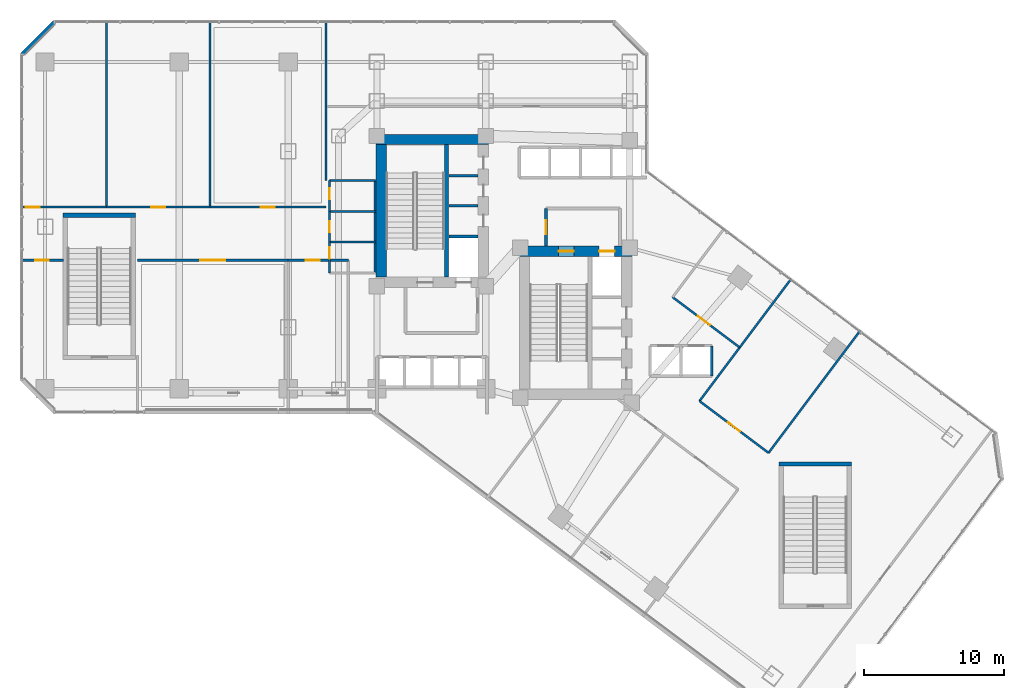
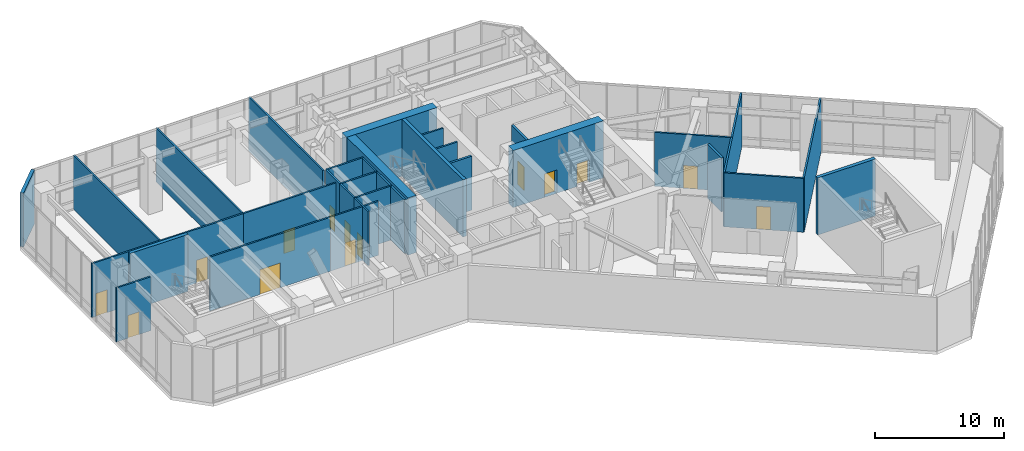
# One storey, part 28 of 35: 32 walls, 14 doors, 14 openings.
"""IFC4 building model written with IfcOpenShell, lengths in metres."""

from ifc_helpers import new_model, si_unit, direction, frame, frame_2d, origin, place, context, subcontext, project, spatial, rectangle, extrude, material, layer, layer_set, type_object, element, fill, save


model = new_model("IFC4")

# Units and contexts
model_context = context("Model", 3, precision=1e-05, world=origin(), true_north=direction((0.0, 1.0)))
body_context = subcontext(model_context, "Body", "Model", "MODEL_VIEW")
ifc_project = project(units=[si_unit("LENGTHUNIT", "METRE"), si_unit("AREAUNIT", "SQUARE_METRE"), si_unit("VOLUMEUNIT", "CUBIC_METRE"), si_unit("PLANEANGLEUNIT", "RADIAN"), si_unit("MASSUNIT", "GRAM", prefix="KILO")], contexts=[model_context])

# Site, building, storey
site_placement = place(None, origin())
site = spatial("IfcSite", under=ifc_project, at=site_placement, CompositionType="ELEMENT")
building_placement = place(site_placement, origin())
building = spatial("IfcBuilding", under=site, at=building_placement, Name="Hatsunagi Terrace Concourse", CompositionType="ELEMENT")
storey_placement = place(building_placement, frame((0.0, 0.0, 10.800048828125)))
storey = spatial("IfcBuildingStorey", under=building, at=storey_placement, Name="L03", CompositionType="ELEMENT", Elevation=10.800048828125)

# Walls
ifc_material_1 = material(Name="Concrete Fc60", Category="concrete")
ifc_layer_1 = layer(ifc_material_1, 0.75)
ifc_layer_set_1 = layer_set([ifc_layer_1], Name="CoreShearWall_Fc60_750")
wall_type_1 = type_object("IfcWallType", Name="CoreShearWall_Fc60_750", PredefinedType="SHEAR", material=ifc_layer_set_1)
wall_1_placement = place(storey_placement, frame((25.469970703125, 43.044921875, 0.0), z_axis=(0.0, 0.0, 1.0), x_axis=(1.0, 0.0, 0.0)))
element("IfcWall", 1, at=wall_1_placement, inside=storey, type_object=wall_type_1, Name="Core A Shear Wall N L03", PredefinedType="SHEAR", context=body_context, shape_type="SweptSolid", body=[
    extrude(rectangle(XDim=8.080078125, YDim=0.75, at=frame_2d((4.0400390625, 0.0))), origin(), (0.0, 0.0, 1.0), 5.39990234375),
])
wall_2_placement = place(storey_placement, frame((25.844970703125, 33.18994140625, 0.0), z_axis=(0.0, 0.0, 1.0), x_axis=(0.0, 1.0, 0.0)))
element("IfcWall", 2, at=wall_2_placement, inside=storey, type_object=wall_type_1, Name="Core A Shear Wall W L03", PredefinedType="SHEAR", context=body_context, shape_type="SweptSolid", body=[
    extrude(rectangle(XDim=9.47998046875, YDim=0.75, at=frame_2d((4.739990234375, 0.0))), origin(), (0.0, 0.0, 1.0), 5.39990234375),
])

# Wall, openings, doors
wall_3_placement = place(storey_placement, frame((35.739990234375, 35.044921875, 0.0), z_axis=(0.0, 0.0, 1.0), x_axis=(1.0, 0.0, 0.0)))
wall_3 = element("IfcWall", 3, at=wall_3_placement, inside=storey, type_object=wall_type_1, Name="Core B Shear Wall N L03", PredefinedType="SHEAR", context=body_context, shape_type="SweptSolid", body=[
    extrude(rectangle(XDim=8.06005859375, YDim=0.75, at=frame_2d((4.030029296875, 0.0))), origin(), (0.0, 0.0, 1.0), 5.39990234375),
])
opening_1_placement = place(wall_3_placement, frame((2.81005859375, 0.0, 0.0)))
opening_1 = element("IfcOpeningElement", 4, at=opening_1_placement, cuts=wall_3, Name="Opening DR-110S", PredefinedType="OPENING", context=body_context, shape_type="SweptSolid", body=[
    extrude(rectangle(XDim=1.10009765625, YDim=2.199951171875, at=frame_2d((0.550048828125, 1.10009765625))), frame((0.0, 0.385009765625, 0.0), z_axis=(0.0, -1.0, 0.0), x_axis=(1.0, 0.0, 0.0)), (0.0, 0.0, 1.0), 0.77001953125),
])
opening_2_placement = place(wall_3_placement, frame((5.7099609375, 0.0, 0.0)))
opening_2 = element("IfcOpeningElement", 5, at=opening_2_placement, cuts=wall_3, Name="Opening LD-02", PredefinedType="OPENING", context=body_context, shape_type="SweptSolid", body=[
    extrude(rectangle(XDim=1.1201171875, YDim=2.14990234375, at=frame_2d((0.56005859375, 1.074951171875))), frame((0.0, 0.385009765625, 0.0), z_axis=(0.0, -1.0, 0.0), x_axis=(1.0, 0.0, 0.0)), (0.0, 0.0, 1.0), 0.77001953125),
])
ifc_material_2 = material(Name="Stainless steel", Category="steel")
door_type_1 = type_object("IfcDoorType", Name="LiftLandingDoor_LD02", OperationType="SLIDING_TO_RIGHT", PredefinedType="USERDEFINED", material=ifc_material_2)
door_1_placement = place(opening_2_placement, origin())
door_1 = element("IfcDoor", 6, at=door_1_placement, inside=storey, type_object=door_type_1, Name="Lift landing door FF-02 L03", ObjectType="SLIDING_LANDING_DOOR", OperationType="SLIDING_TO_RIGHT", OverallHeight=2.14990234375, OverallWidth=1.1201171875, PredefinedType="USERDEFINED", context=body_context, shape_type="SweptSolid", body=[
    extrude(rectangle(XDim=1.1201171875, YDim=2.14990234375, at=frame_2d((0.56005859375, 1.074951171875))), frame((0.0, 0.02490234375, 0.0), z_axis=(0.0, -1.0, 0.0), x_axis=(1.0, 0.0, 0.0)), (0.0, 0.0, 1.0), 0.050048828125),
])
fill(opening_2, door_1)
ifc_material_3 = material(Name="Painted steel", Category="steel")
door_type_2 = type_object("IfcDoorType", Name="StairFireDoor_EI60_1100", OperationType="NOTDEFINED", PredefinedType="DOOR", material=ifc_material_3)
door_2_placement = place(opening_1_placement, origin())
door_2 = element("IfcDoor", 7, at=door_2_placement, inside=storey, type_object=door_type_2, Name="Stair ST-B Exit Door L03", OperationType="SINGLE_SWING_RIGHT", OverallHeight=2.199951171875, OverallWidth=1.10009765625, PredefinedType="DOOR", context=body_context, shape_type="SweptSolid", body=[
    extrude(rectangle(XDim=1.10009765625, YDim=2.199951171875, at=frame_2d((0.550048828125, 1.10009765625))), frame((0.0, 0.02490234375, 0.0), z_axis=(0.0, -1.0, 0.0), x_axis=(1.0, 0.0, 0.0)), (0.0, 0.0, 1.0), 0.050048828125),
])
fill(opening_1, door_2)

# Walls
ifc_material_4 = material(Name="Concrete Fc48", Category="concrete")
ifc_layer_2 = layer(ifc_material_4, 0.300048828125)
ifc_layer_set_2 = layer_set([ifc_layer_2], Name="CoreStairDivider_Fc48_300")
wall_type_2 = type_object("IfcWallType", Name="CoreStairDivider_Fc48_300", PredefinedType="SHEAR", material=ifc_layer_set_2)
wall_4_placement = place(storey_placement, frame((30.5400390625, 33.18994140625, 0.0), z_axis=(0.0, 0.0, 1.0), x_axis=(0.0, 1.0, 0.0)))
element("IfcWall", 8, at=wall_4_placement, inside=storey, type_object=wall_type_2, Name="Core A Shear Wall D L03", PredefinedType="SHEAR", context=body_context, shape_type="SweptSolid", body=[
    extrude(rectangle(XDim=9.47998046875, YDim=0.300048828125, at=frame_2d((4.739990234375, 0.0))), origin(), (0.0, 0.0, 1.0), 5.39990234375),
])
for number, where, z_axis, x_axis, name in (
    (9, (3.090087890625, 37.6201171875, 0.0), (0.0, 0.0, 1.0), (1.0, 0.0, 0.0), "Podium Stair P1 Shear Wall N L03"),
    (10, (54.340087890625, 19.820068359375, 0.0), (0.0, 0.0, 1.0), (1.0, 0.0, 0.0), "Podium Stair P2 Shear Wall N L03"),
):
    element("IfcWall", number, at=place(storey_placement, frame(where, z_axis=z_axis, x_axis=x_axis)), inside=storey, type_object=wall_type_2, Name=name, PredefinedType="SHEAR", context=body_context, shape_type="SweptSolid", body=[
        extrude(rectangle(XDim=5.169921875, YDim=0.300048828125, at=frame_2d((2.5849609375, 0.0))), origin(), (0.0, 0.0, 1.0), 5.39990234375),
    ])
ifc_material_5 = material(Name="Acoustic mineral board", Category="gypsum")
ifc_layer_3 = layer(ifc_material_5, 0.14990234375)
ifc_layer_set_3 = layer_set([ifc_layer_3], Name="PartitionWall_EI60_150")
wall_type_3 = type_object("IfcWallType", Name="PartitionWall_EI60_150", PredefinedType="PARTITIONING", material=ifc_layer_set_3)
for number, where, z_axis, x_axis, name in (
    (11, (30.699951171875, 38.300048828125, 0.0), (0.0, 0.0, 1.0), (1.0, 0.0, 0.0), "Interior Partition IW-L03-002"),
    (12, (30.699951171875, 40.449951171875, 0.0), (0.0, 0.0, 1.0), (1.0, 0.0, 0.0), "Interior Partition IW-L03-003"),
):
    element("IfcWall", number, at=place(storey_placement, frame(where, z_axis=z_axis, x_axis=x_axis)), inside=storey, type_object=wall_type_3, Name=name, PredefinedType="PARTITIONING", context=body_context, shape_type="SweptSolid", body=[
        extrude(rectangle(XDim=2.10009765625, YDim=0.14990234375, at=frame_2d((1.050048828125, 0.0))), origin(), (0.0, 0.0, 1.0), 5.099853515625),
    ])
wall_5_placement = place(storey_placement, frame((22.14990234375, 40.10009765625, 0.0), z_axis=(0.0, 0.0, 1.0), x_axis=(1.0, 0.0, 0.0)))
element("IfcWall", 13, at=wall_5_placement, inside=storey, type_object=wall_type_3, Name="Interior Partition IW-L03-032", PredefinedType="PARTITIONING", context=body_context, shape_type="SweptSolid", body=[
    extrude(rectangle(XDim=3.300048828125, YDim=0.14990234375, at=frame_2d((1.64990234375, 0.0))), origin(), (0.0, 0.0, 1.0), 5.099853515625),
])
wall_6_placement = place(storey_placement, frame((25.39990234375, 33.5, 0.0), z_axis=(0.0, 0.0, 1.0), x_axis=(0.0, 1.0, 0.0)))
element("IfcWall", 14, at=wall_6_placement, inside=storey, type_object=wall_type_3, Name="Interior Partition IW-L03-033", PredefinedType="PARTITIONING", context=body_context, shape_type="SweptSolid", body=[
    extrude(rectangle(XDim=6.60009765625, YDim=0.14990234375, at=frame_2d((3.300048828125, 0.0))), origin(), (0.0, 0.0, 1.0), 5.099853515625),
])
for number, where, z_axis, x_axis, name in (
    (15, (22.14990234375, 35.699951171875, 0.0), (0.0, 0.0, 1.0), (1.0, 0.0, 0.0), "Interior Partition IW-L03-034"),
    (16, (22.14990234375, 37.89990234375, 0.0), (0.0, 0.0, 1.0), (1.0, 0.0, 0.0), "Interior Partition IW-L03-035"),
):
    element("IfcWall", number, at=place(storey_placement, frame(where, z_axis=z_axis, x_axis=x_axis)), inside=storey, type_object=wall_type_3, Name=name, PredefinedType="PARTITIONING", context=body_context, shape_type="SweptSolid", body=[
        extrude(rectangle(XDim=3.300048828125, YDim=0.14990234375, at=frame_2d((1.64990234375, 0.0))), origin(), (0.0, 0.0, 1.0), 5.099853515625),
    ])

# Wall, opening, door
wall_7_placement = place(storey_placement, frame((22.14990234375, 33.5, 0.0), z_axis=(0.0, 0.0, 1.0), x_axis=(0.0, 1.0, 0.0)))
wall_7 = element("IfcWall", 17, at=wall_7_placement, inside=storey, type_object=wall_type_3, Name="Interior Partition IW-L03-036", PredefinedType="PARTITIONING", context=body_context, shape_type="SweptSolid", body=[
    extrude(rectangle(XDim=2.199951171875, YDim=0.14990234375, at=frame_2d((1.10009765625, 0.0))), origin(), (0.0, 0.0, 1.0), 5.099853515625),
])
opening_3_placement = place(wall_7_placement, frame((1.02001953125, 0.0, 0.0)))
opening_3 = element("IfcOpeningElement", 18, at=opening_3_placement, cuts=wall_7, Name="Opening DR-080", PredefinedType="OPENING", context=body_context, shape_type="SweptSolid", body=[
    extrude(rectangle(XDim=0.800048828125, YDim=2.06005859375, at=frame_2d((0.39990234375, 1.030029296875))), frame((0.0, 0.0849609375, 0.0), z_axis=(0.0, -1.0, 0.0), x_axis=(1.0, 0.0, 0.0)), (0.0, 0.0, 1.0), 0.169921875),
])
ifc_material_6 = material(Name="Hardwood timber", Category="wood")
door_type_3 = type_object("IfcDoorType", Name="BathroomDoor_800", OperationType="NOTDEFINED", PredefinedType="DOOR", material=ifc_material_6)
door_3_placement = place(opening_3_placement, origin())
door_3 = element("IfcDoor", 19, at=door_3_placement, inside=storey, type_object=door_type_3, Name="Accessible WC Door L03", OperationType="SINGLE_SWING_LEFT", OverallHeight=2.06005859375, OverallWidth=0.800048828125, PredefinedType="DOOR", context=body_context, shape_type="SweptSolid", body=[
    extrude(rectangle(XDim=0.800048828125, YDim=2.06005859375, at=frame_2d((0.39990234375, 1.030029296875))), frame((0.0, 0.02490234375, 0.0), z_axis=(0.0, -1.0, 0.0), x_axis=(1.0, 0.0, 0.0)), (0.0, 0.0, 1.0), 0.050048828125),
])
fill(opening_3, door_3)

wall_8_placement = place(storey_placement, frame((22.14990234375, 35.699951171875, 0.0), z_axis=(0.0, 0.0, 1.0), x_axis=(0.0, 1.0, 0.0)))
wall_8 = element("IfcWall", 20, at=wall_8_placement, inside=storey, type_object=wall_type_3, Name="Interior Partition IW-L03-037", PredefinedType="PARTITIONING", context=body_context, shape_type="SweptSolid", body=[
    extrude(rectangle(XDim=2.199951171875, YDim=0.14990234375, at=frame_2d((1.10009765625, 0.0))), origin(), (0.0, 0.0, 1.0), 5.099853515625),
])
opening_4_placement = place(wall_8_placement, frame((0.699951171875, 0.0, 0.0)))
opening_4 = element("IfcOpeningElement", 21, at=opening_4_placement, cuts=wall_8, Name="Opening DR-080", PredefinedType="OPENING", context=body_context, shape_type="SweptSolid", body=[
    extrude(rectangle(XDim=0.800048828125, YDim=2.06005859375, at=frame_2d((0.39990234375, 1.030029296875))), frame((0.0, 0.0849609375, 0.0), z_axis=(0.0, -1.0, 0.0), x_axis=(1.0, 0.0, 0.0)), (0.0, 0.0, 1.0), 0.169921875),
])
door_4_placement = place(opening_4_placement, origin())
door_4 = element("IfcDoor", 22, at=door_4_placement, inside=storey, type_object=door_type_3, Name="Female Restroom Door L03", OperationType="SINGLE_SWING_LEFT", OverallHeight=2.06005859375, OverallWidth=0.800048828125, PredefinedType="DOOR", context=body_context, shape_type="SweptSolid", body=[
    extrude(rectangle(XDim=0.800048828125, YDim=2.06005859375, at=frame_2d((0.39990234375, 1.030029296875))), frame((0.0, 0.02490234375, 0.0), z_axis=(0.0, -1.0, 0.0), x_axis=(1.0, 0.0, 0.0)), (0.0, 0.0, 1.0), 0.050048828125),
])
fill(opening_4, door_4)

wall_9_placement = place(storey_placement, frame((22.14990234375, 37.89990234375, 0.0), z_axis=(0.0, 0.0, 1.0), x_axis=(0.0, 1.0, 0.0)))
wall_9 = element("IfcWall", 23, at=wall_9_placement, inside=storey, type_object=wall_type_3, Name="Interior Partition IW-L03-038", PredefinedType="PARTITIONING", context=body_context, shape_type="SweptSolid", body=[
    extrude(rectangle(XDim=2.2001953125, YDim=0.14990234375, at=frame_2d((1.10009765625, 0.0))), origin(), (0.0, 0.0, 1.0), 5.099853515625),
])
opening_5_placement = place(wall_9_placement, frame((0.860107421875, 0.0, 0.0)))
opening_5 = element("IfcOpeningElement", 24, at=opening_5_placement, cuts=wall_9, Name="Opening DR-080", PredefinedType="OPENING", context=body_context, shape_type="SweptSolid", body=[
    extrude(rectangle(XDim=0.800048828125, YDim=2.06005859375, at=frame_2d((0.39990234375, 1.030029296875))), frame((0.0, 0.0849609375, 0.0), z_axis=(0.0, -1.0, 0.0), x_axis=(1.0, 0.0, 0.0)), (0.0, 0.0, 1.0), 0.169921875),
])
door_5_placement = place(opening_5_placement, origin())
door_5 = element("IfcDoor", 25, at=door_5_placement, inside=storey, type_object=door_type_3, Name="Male Restroom Door L03", OperationType="SINGLE_SWING_RIGHT", OverallHeight=2.06005859375, OverallWidth=0.800048828125, PredefinedType="DOOR", context=body_context, shape_type="SweptSolid", body=[
    extrude(rectangle(XDim=0.800048828125, YDim=2.06005859375, at=frame_2d((0.39990234375, 1.030029296875))), frame((0.0, 0.02490234375, 0.0), z_axis=(0.0, -1.0, 0.0), x_axis=(1.0, 0.0, 0.0)), (0.0, 0.0, 1.0), 0.050048828125),
])
fill(opening_5, door_5)

wall_10_placement = place(storey_placement, frame((0.0400390625, 38.199951171875, 0.0), z_axis=(0.0, 0.0, 1.0), x_axis=(1.0, 0.0, 0.0)))
wall_10 = element("IfcWall", 26, at=wall_10_placement, inside=storey, type_object=wall_type_3, Name="Interior Partition IW-L03-039", PredefinedType="PARTITIONING", context=body_context, shape_type="SweptSolid", body=[
    extrude(rectangle(XDim=6.159912109375, YDim=0.14990234375, at=frame_2d((3.080078125, 0.0))), origin(), (0.0, 0.0, 1.0), 5.099853515625),
])
opening_6_placement = place(wall_10_placement, frame((0.3798828125, 0.0, 0.0)))
opening_6 = element("IfcOpeningElement", 27, at=opening_6_placement, cuts=wall_10, Name="Opening DR-100S", PredefinedType="OPENING", context=body_context, shape_type="SweptSolid", body=[
    extrude(rectangle(XDim=1.0, YDim=2.14990234375, at=frame_2d((0.5, 1.074951171875))), frame((0.0, 0.0849609375, 0.0), z_axis=(0.0, -1.0, 0.0), x_axis=(1.0, 0.0, 0.0)), (0.0, 0.0, 1.0), 0.169921875),
])
ifc_material_7 = material(Name="Hardwood timber", Category="wood")
door_type_4 = type_object("IfcDoorType", Name="SuiteDoor_EI30_1000", OperationType="NOTDEFINED", PredefinedType="DOOR", material=ifc_material_7)
door_6_placement = place(opening_6_placement, origin())
door_6 = element("IfcDoor", 28, at=door_6_placement, inside=storey, type_object=door_type_4, Name="Boardroom L03-P3WN0 Door", OperationType="SINGLE_SWING_LEFT", OverallHeight=2.14990234375, OverallWidth=1.0, PredefinedType="DOOR", context=body_context, shape_type="SweptSolid", body=[
    extrude(rectangle(XDim=1.0, YDim=2.14990234375, at=frame_2d((0.5, 1.074951171875))), frame((0.0, 0.02490234375, 0.0), z_axis=(0.0, -1.0, 0.0), x_axis=(1.0, 0.0, 0.0)), (0.0, 0.0, 1.0), 0.050048828125),
])
fill(opening_6, door_6)

# Wall
wall_11_placement = place(storey_placement, frame((6.199951171875, 38.199951171875, 0.0), z_axis=(0.0, 0.0, 1.0), x_axis=(0.0, 1.0, 0.0)))
element("IfcWall", 29, at=wall_11_placement, inside=storey, type_object=wall_type_3, Name="Interior Partition IW-L03-040", PredefinedType="PARTITIONING", context=body_context, shape_type="SweptSolid", body=[
    extrude(rectangle(XDim=13.360107421875, YDim=0.14990234375, at=frame_2d((6.68017578125, 0.0))), origin(), (0.0, 0.0, 1.0), 5.099853515625),
])

# Wall, opening, door
wall_12_placement = place(storey_placement, frame((6.199951171875, 38.199951171875, 0.0), z_axis=(0.0, 0.0, 1.0), x_axis=(1.0, 0.0, 0.0)))
wall_12 = element("IfcWall", 30, at=wall_12_placement, inside=storey, type_object=wall_type_3, Name="Interior Partition IW-L03-041", PredefinedType="PARTITIONING", context=body_context, shape_type="SweptSolid", body=[
    extrude(rectangle(XDim=7.400146484375, YDim=0.14990234375, at=frame_2d((3.7001953125, 0.0))), origin(), (0.0, 0.0, 1.0), 5.099853515625),
])
opening_7_placement = place(wall_12_placement, frame((3.199951171875, 0.0, 0.0)))
opening_7 = element("IfcOpeningElement", 31, at=opening_7_placement, cuts=wall_12, Name="Opening DR-100S", PredefinedType="OPENING", context=body_context, shape_type="SweptSolid", body=[
    extrude(rectangle(XDim=1.0, YDim=2.14990234375, at=frame_2d((0.5, 1.074951171875))), frame((0.0, 0.0849609375, 0.0), z_axis=(0.0, -1.0, 0.0), x_axis=(1.0, 0.0, 0.0)), (0.0, 0.0, 1.0), 0.169921875),
])
door_7_placement = place(opening_7_placement, origin())
door_7 = element("IfcDoor", 32, at=door_7_placement, inside=storey, type_object=door_type_4, Name="Seminar Room L03-P3WN1 Door", OperationType="SINGLE_SWING_LEFT", OverallHeight=2.14990234375, OverallWidth=1.0, PredefinedType="DOOR", context=body_context, shape_type="SweptSolid", body=[
    extrude(rectangle(XDim=1.0, YDim=2.14990234375, at=frame_2d((0.5, 1.074951171875))), frame((0.0, 0.02490234375, 0.0), z_axis=(0.0, -1.0, 0.0), x_axis=(1.0, 0.0, 0.0)), (0.0, 0.0, 1.0), 0.050048828125),
])
fill(opening_7, door_7)

# Wall
wall_13_placement = place(storey_placement, frame((13.60009765625, 38.199951171875, 0.0), z_axis=(0.0, 0.0, 1.0), x_axis=(0.0, 1.0, 0.0)))
element("IfcWall", 33, at=wall_13_placement, inside=storey, type_object=wall_type_3, Name="Interior Partition IW-L03-042", PredefinedType="PARTITIONING", context=body_context, shape_type="SweptSolid", body=[
    extrude(rectangle(XDim=13.360107421875, YDim=0.14990234375, at=frame_2d((6.68017578125, 0.0))), origin(), (0.0, 0.0, 1.0), 5.099853515625),
])

# Wall, opening, door
wall_14_placement = place(storey_placement, frame((13.60009765625, 38.199951171875, 0.0), z_axis=(0.0, 0.0, 1.0), x_axis=(1.0, 0.0, 0.0)))
wall_14 = element("IfcWall", 34, at=wall_14_placement, inside=storey, type_object=wall_type_3, Name="Interior Partition IW-L03-043", PredefinedType="PARTITIONING", context=body_context, shape_type="SweptSolid", body=[
    extrude(rectangle(XDim=8.2998046875, YDim=0.14990234375, at=frame_2d((4.14990234375, 0.0))), origin(), (0.0, 0.0, 1.0), 5.099853515625),
])
opening_8_placement = place(wall_14_placement, frame((3.64990234375, 0.0, 0.0)))
opening_8 = element("IfcOpeningElement", 35, at=opening_8_placement, cuts=wall_14, Name="Opening DR-100S", PredefinedType="OPENING", context=body_context, shape_type="SweptSolid", body=[
    extrude(rectangle(XDim=1.0, YDim=2.14990234375, at=frame_2d((0.5, 1.074951171875))), frame((0.0, 0.0849609375, 0.0), z_axis=(0.0, -1.0, 0.0), x_axis=(1.0, 0.0, 0.0)), (0.0, 0.0, 1.0), 0.169921875),
])
door_8_placement = place(opening_8_placement, origin())
door_8 = element("IfcDoor", 36, at=door_8_placement, inside=storey, type_object=door_type_4, Name="VIP Lounge L03-P3WN2 Door", OperationType="SINGLE_SWING_RIGHT", OverallHeight=2.14990234375, OverallWidth=1.0, PredefinedType="DOOR", context=body_context, shape_type="SweptSolid", body=[
    extrude(rectangle(XDim=1.0, YDim=2.14990234375, at=frame_2d((0.5, 1.074951171875))), frame((0.0, 0.02490234375, 0.0), z_axis=(0.0, -1.0, 0.0), x_axis=(1.0, 0.0, 0.0)), (0.0, 0.0, 1.0), 0.050048828125),
])
fill(opening_8, door_8)

# Wall
wall_15_placement = place(storey_placement, frame((21.89990234375, 40.10009765625, 0.0), z_axis=(0.0, 0.0, 1.0), x_axis=(0.0, 1.0, 0.0)))
element("IfcWall", 37, at=wall_15_placement, inside=storey, type_object=wall_type_3, Name="Interior Partition IW-L03-044", PredefinedType="PARTITIONING", context=body_context, shape_type="SweptSolid", body=[
    extrude(rectangle(XDim=11.4599609375, YDim=0.14990234375, at=frame_2d((5.72998046875, 0.0))), origin(), (0.0, 0.0, 1.0), 5.099853515625),
])

# Wall, opening, door
wall_16_placement = place(storey_placement, frame((0.0400390625, 34.39990234375, 0.0), z_axis=(0.0, 0.0, 1.0), x_axis=(1.0, 0.0, 0.0)))
wall_16 = element("IfcWall", 38, at=wall_16_placement, inside=storey, type_object=wall_type_3, Name="Interior Partition IW-L03-045", PredefinedType="PARTITIONING", context=body_context, shape_type="SweptSolid", body=[
    extrude(rectangle(XDim=3.070068359375, YDim=0.14990234375, at=frame_2d((1.53515625, 0.0))), origin(), (0.0, 0.0, 1.0), 5.099853515625),
])
opening_9_placement = place(wall_16_placement, frame((1.034912109375, 0.0, 0.0)))
opening_9 = element("IfcOpeningElement", 39, at=opening_9_placement, cuts=wall_16, Name="Opening DR-100S", PredefinedType="OPENING", context=body_context, shape_type="SweptSolid", body=[
    extrude(rectangle(XDim=1.0, YDim=2.14990234375, at=frame_2d((0.5, 1.074951171875))), frame((0.0, 0.0849609375, 0.0), z_axis=(0.0, -1.0, 0.0), x_axis=(1.0, 0.0, 0.0)), (0.0, 0.0, 1.0), 0.169921875),
])
door_9_placement = place(opening_9_placement, origin())
door_9 = element("IfcDoor", 40, at=door_9_placement, inside=storey, type_object=door_type_4, Name="Seminar Room L03-P3WS0 Door", OperationType="SINGLE_SWING_RIGHT", OverallHeight=2.14990234375, OverallWidth=1.0, PredefinedType="DOOR", context=body_context, shape_type="SweptSolid", body=[
    extrude(rectangle(XDim=1.0, YDim=2.14990234375, at=frame_2d((0.5, 1.074951171875))), frame((0.0, 0.02490234375, 0.0), z_axis=(0.0, -1.0, 0.0), x_axis=(1.0, 0.0, 0.0)), (0.0, 0.0, 1.0), 0.050048828125),
])
fill(opening_9, door_9)

wall_17_placement = place(storey_placement, frame((8.39990234375, 34.39990234375, 0.0), z_axis=(0.0, 0.0, 1.0), x_axis=(1.0, 0.0, 0.0)))
wall_17 = element("IfcWall", 41, at=wall_17_placement, inside=storey, type_object=wall_type_3, Name="Interior Partition IW-L03-047", PredefinedType="PARTITIONING", context=body_context, shape_type="SweptSolid", body=[
    extrude(rectangle(XDim=10.800048828125, YDim=0.14990234375, at=frame_2d((5.39990234375, 0.0))), origin(), (0.0, 0.0, 1.0), 5.099853515625),
])
opening_10_placement = place(wall_17_placement, frame((4.5, 0.0, 0.0)))
opening_10 = element("IfcOpeningElement", 42, at=opening_10_placement, cuts=wall_17, Name="Opening DR-180", PredefinedType="OPENING", context=body_context, shape_type="SweptSolid", body=[
    extrude(rectangle(XDim=1.800048828125, YDim=2.35009765625, at=frame_2d((0.89990234375, 1.175048828125))), frame((0.0, 0.0849609375, 0.0), z_axis=(0.0, -1.0, 0.0), x_axis=(1.0, 0.0, 0.0)), (0.0, 0.0, 1.0), 0.169921875),
])
ifc_material_8 = material(Name="Hardwood timber", Category="wood")
door_type_5 = type_object("IfcDoorType", Name="PodiumHallDoubleDoor_1800", OperationType="DOUBLE_DOOR_SINGLE_SWING", PredefinedType="DOOR", material=ifc_material_8)
door_10_placement = place(opening_10_placement, origin())
door_10 = element("IfcDoor", 43, at=door_10_placement, inside=storey, type_object=door_type_5, Name="Exhibition Hall L03-P3EXH Door", OperationType="DOUBLE_DOOR_SINGLE_SWING", OverallHeight=2.35009765625, OverallWidth=1.800048828125, PredefinedType="DOOR", context=body_context, shape_type="SweptSolid", body=[
    extrude(rectangle(XDim=1.800048828125, YDim=2.35009765625, at=frame_2d((0.89990234375, 1.175048828125))), frame((0.0, 0.02490234375, 0.0), z_axis=(0.0, -1.0, 0.0), x_axis=(1.0, 0.0, 0.0)), (0.0, 0.0, 1.0), 0.050048828125),
])
fill(opening_10, door_10)

wall_18_placement = place(storey_placement, frame((19.199951171875, 34.39990234375, 0.0), z_axis=(0.0, 0.0, 1.0), x_axis=(1.0, 0.0, 0.0)))
wall_18 = element("IfcWall", 44, at=wall_18_placement, inside=storey, type_object=wall_type_3, Name="Interior Partition IW-L03-049", PredefinedType="PARTITIONING", context=body_context, shape_type="SweptSolid", body=[
    extrude(rectangle(XDim=4.300048828125, YDim=0.14990234375, at=frame_2d((2.14990234375, 0.0))), origin(), (0.0, 0.0, 1.0), 5.099853515625),
])
opening_11_placement = place(wall_18_placement, frame((1.26904296875, 0.0, 0.0)))
opening_11 = element("IfcOpeningElement", 45, at=opening_11_placement, cuts=wall_18, Name="Opening DR-100F", PredefinedType="OPENING", context=body_context, shape_type="SweptSolid", body=[
    extrude(rectangle(XDim=1.0, YDim=2.199951171875, at=frame_2d((0.5, 1.10009765625))), frame((0.0, 0.0849609375, 0.0), z_axis=(0.0, -1.0, 0.0), x_axis=(1.0, 0.0, 0.0)), (0.0, 0.0, 1.0), 0.169921875),
])
ifc_material_9 = material(Name="Painted steel", Category="steel")
door_type_6 = type_object("IfcDoorType", Name="FireDoor_EI60_1000", OperationType="NOTDEFINED", PredefinedType="DOOR", material=ifc_material_9)
door_11_placement = place(opening_11_placement, origin())
door_11 = element("IfcDoor", 46, at=door_11_placement, inside=storey, type_object=door_type_6, Name="Archive Storage Room L03-P3BOH Door", OperationType="SINGLE_SWING_LEFT", OverallHeight=2.199951171875, OverallWidth=1.0, PredefinedType="DOOR", context=body_context, shape_type="SweptSolid", body=[
    extrude(rectangle(XDim=1.0, YDim=2.199951171875, at=frame_2d((0.5, 1.10009765625))), frame((0.0, 0.02490234375, 0.0), z_axis=(0.0, -1.0, 0.0), x_axis=(1.0, 0.0, 0.0)), (0.0, 0.0, 1.0), 0.050048828125),
])
fill(opening_11, door_11)

wall_19_placement = place(storey_placement, frame((48.639892578125, 24.320068359375, 0.0), z_axis=(0.0, 0.0, 1.0), x_axis=(0.80000474051, -0.599993679268, 0.0)))
wall_19 = element("IfcWall", 47, at=wall_19_placement, inside=storey, type_object=wall_type_3, Name="Interior Partition IW-L03-052", PredefinedType="PARTITIONING", context=body_context, shape_type="SweptSolid", body=[
    extrude(rectangle(XDim=6.18017578125, YDim=0.14990234375, at=frame_2d((3.090087890625, 0.0))), origin(), (0.0, 0.0, 1.0), 5.099853515625),
])
opening_12_placement = place(wall_19_placement, frame((2.5400390625, 0.0, 0.0)))
opening_12 = element("IfcOpeningElement", 48, at=opening_12_placement, cuts=wall_19, Name="Opening DR-110W", PredefinedType="OPENING", context=body_context, shape_type="SweptSolid", body=[
    extrude(rectangle(XDim=1.10009765625, YDim=2.159912109375, at=frame_2d((0.550048828125, 1.080078125))), frame((0.0, 0.0849609375, 0.0), z_axis=(0.0, -1.0, 0.0), x_axis=(1.0, 0.0, 0.0)), (0.0, 0.0, 1.0), 0.169921875),
])
ifc_material_10 = material(Name="Hardwood timber", Category="wood")
door_type_7 = type_object("IfcDoorType", Name="SuiteWideDoor_EI30_1100", OperationType="NOTDEFINED", PredefinedType="DOOR", material=ifc_material_10)
door_12_placement = place(opening_12_placement, origin())
door_12 = element("IfcDoor", 49, at=door_12_placement, inside=storey, type_object=door_type_7, Name="Conference Hall L03-P3CNF1 Door", OperationType="SINGLE_SWING_LEFT", OverallHeight=2.159912109375, OverallWidth=1.10009765625, PredefinedType="DOOR", context=body_context, shape_type="SweptSolid", body=[
    extrude(rectangle(XDim=1.10009765625, YDim=2.159912109375, at=frame_2d((0.550048828125, 1.080078125))), frame((0.0, 0.02490234375, 0.0), z_axis=(0.0, -1.0, 0.0), x_axis=(1.0, 0.0, 0.0)), (0.0, 0.0, 1.0), 0.050048828125),
])
fill(opening_12, door_12)

# Walls
wall_20_placement = place(storey_placement, frame((48.639892578125, 24.320068359375, 0.0), z_axis=(0.0, 0.0, 1.0), x_axis=(0.600017820398, 0.799986634391, 0.0)))
element("IfcWall", 50, at=wall_20_placement, inside=storey, type_object=wall_type_3, Name="Interior Partition IW-L03-053", PredefinedType="PARTITIONING", context=body_context, shape_type="SweptSolid", body=[
    extrude(rectangle(XDim=10.9599609375, YDim=0.14990234375, at=frame_2d((5.47998046875, 0.0))), origin(), (0.0, 0.0, 1.0), 5.099853515625),
])
wall_21_placement = place(storey_placement, frame((53.583984375, 20.612060546875, 0.0), z_axis=(0.0, 0.0, 1.0), x_axis=(0.600003564151, 0.799997326874, 0.0)))
element("IfcWall", 51, at=wall_21_placement, inside=storey, type_object=wall_type_3, Name="Interior Partition IW-L03-054", PredefinedType="PARTITIONING", context=body_context, shape_type="SweptSolid", body=[
    extrude(rectangle(XDim=10.959716796875, YDim=0.14990234375, at=frame_2d((5.47998046875, 0.0))), origin(), (0.0, 0.0, 1.0), 5.099853515625),
])

# Wall, opening, door
wall_22_placement = place(storey_placement, frame((46.719970703125, 31.760009765625, 0.0), z_axis=(0.0, 0.0, 1.0), x_axis=(0.79999511724, -0.600006510291, 0.0)))
wall_22 = element("IfcWall", 52, at=wall_22_placement, inside=storey, type_object=wall_type_3, Name="Interior Partition IW-L03-059", PredefinedType="PARTITIONING", context=body_context, shape_type="SweptSolid", body=[
    extrude(rectangle(XDim=6.0, YDim=0.14990234375, at=frame_2d((3.0, 0.0))), origin(), (0.0, 0.0, 1.0), 5.099853515625),
])
opening_13_placement = place(wall_22_placement, frame((2.242919921875, 0.0, 0.0)))
opening_13 = element("IfcOpeningElement", 53, at=opening_13_placement, cuts=wall_22, Name="Opening DR-110W", PredefinedType="OPENING", context=body_context, shape_type="SweptSolid", body=[
    extrude(rectangle(XDim=1.10009765625, YDim=2.159912109375, at=frame_2d((0.550048828125, 1.080078125))), frame((0.0, 0.0849609375, 0.0), z_axis=(0.0, -1.0, 0.0), x_axis=(1.0, 0.0, 0.0)), (0.0, 0.0, 1.0), 0.169921875),
])
door_13_placement = place(opening_13_placement, origin())
door_13 = element("IfcDoor", 54, at=door_13_placement, inside=storey, type_object=door_type_7, Name="Delegate Pre-Function Lounge L03-PREG3 Door", OperationType="SINGLE_SWING_RIGHT", OverallHeight=2.159912109375, OverallWidth=1.10009765625, PredefinedType="DOOR", context=body_context, shape_type="SweptSolid", body=[
    extrude(rectangle(XDim=1.10009765625, YDim=2.159912109375, at=frame_2d((0.550048828125, 1.080078125))), frame((0.0, 0.02490234375, 0.0), z_axis=(0.0, -1.0, 0.0), x_axis=(1.0, 0.0, 0.0)), (0.0, 0.0, 1.0), 0.050048828125),
])
fill(opening_13, door_13)

# Wall
ifc_material_11 = material(Name="Acoustic mineral board", Category="gypsum")
ifc_layer_4 = layer(ifc_material_11, 0.199951171875)
ifc_layer_set_4 = layer_set([ifc_layer_4], Name="ShaftWall_EI120_200")
wall_type_4 = type_object("IfcWallType", Name="ShaftWall_EI120_200", PredefinedType="STANDARD", material=ifc_layer_set_4)
wall_23_placement = place(storey_placement, frame((30.699951171875, 36.10009765625, 0.0), z_axis=(0.0, 0.0, 1.0), x_axis=(1.0, 0.0, 0.0)))
element("IfcWall", 55, at=wall_23_placement, inside=storey, type_object=wall_type_4, Name="Interior Partition IW-L03-001", PredefinedType="STANDARD", context=body_context, shape_type="SweptSolid", body=[
    extrude(rectangle(XDim=2.10009765625, YDim=0.199951171875, at=frame_2d((1.050048828125, 0.0))), origin(), (0.0, 0.0, 1.0), 5.099853515625),
])

# Wall, opening, door
wall_24_placement = place(storey_placement, frame((37.64990234375, 35.419921875, 0.0), z_axis=(0.0, 0.0, 1.0), x_axis=(0.0, 1.0, 0.0)))
wall_24 = element("IfcWall", 56, at=wall_24_placement, inside=storey, type_object=wall_type_4, Name="Interior Partition IW-L03-012", PredefinedType="STANDARD", context=body_context, shape_type="SweptSolid", body=[
    extrude(rectangle(XDim=2.68017578125, YDim=0.199951171875, at=frame_2d((1.340087890625, 0.0))), origin(), (0.0, 0.0, 1.0), 5.099853515625),
])
opening_14_placement = place(wall_24_placement, frame((0.840087890625, 0.0, 0.0)))
opening_14 = element("IfcOpeningElement", 57, at=opening_14_placement, cuts=wall_24, Name="Opening DR-100F", PredefinedType="OPENING", context=body_context, shape_type="SweptSolid", body=[
    extrude(rectangle(XDim=1.0, YDim=2.199951171875, at=frame_2d((0.5, 1.10009765625))), frame((0.0, 0.10986328125, 0.0), z_axis=(0.0, -1.0, 0.0), x_axis=(1.0, 0.0, 0.0)), (0.0, 0.0, 1.0), 0.219970703125),
])
door_14_placement = place(opening_14_placement, origin())
door_14 = element("IfcDoor", 58, at=door_14_placement, inside=storey, type_object=door_type_6, Name="Firefighting Lobby B Door L03", OperationType="SINGLE_SWING_RIGHT", OverallHeight=2.199951171875, OverallWidth=1.0, PredefinedType="DOOR", context=body_context, shape_type="SweptSolid", body=[
    extrude(rectangle(XDim=1.0, YDim=2.199951171875, at=frame_2d((0.5, 1.10009765625))), frame((0.0, 0.02490234375, 0.0), z_axis=(0.0, -1.0, 0.0), x_axis=(1.0, 0.0, 0.0)), (0.0, 0.0, 1.0), 0.050048828125),
])
fill(opening_14, door_14)

# Walls
wall_25_placement = place(storey_placement, frame((49.52001953125, 26.1201171875, 0.0), z_axis=(0.0, 0.0, 1.0), x_axis=(0.0, 1.0, 0.0)))
element("IfcWall", 59, at=wall_25_placement, inside=storey, type_object=wall_type_4, Name="Interior Partition IW-L03-028", PredefinedType="STANDARD", context=body_context, shape_type="SweptSolid", body=[
    extrude(rectangle(XDim=2.159912109375, YDim=0.199951171875, at=frame_2d((1.080078125, 0.0))), origin(), (0.0, 0.0, 1.0), 5.099853515625),
])
ifc_material_12 = material(Name="Autoclaved Lightweight Concrete and Terracotta Cladding", Category="masonry")
ifc_layer_5 = layer(ifc_material_12, 0.280029296875)
ifc_layer_set_5 = layer_set([ifc_layer_5], Name="TerracottaSpandrelWall_280")
wall_type_5 = type_object("IfcWallType", Name="TerracottaSpandrelWall_280", PredefinedType="STANDARD", material=ifc_layer_set_5)
wall_26_placement = place(storey_placement, frame((0.139892578125, 49.14208984375, 0.0), z_axis=(0.0, 0.0, 1.0), x_axis=(0.707144017911, 0.707069542501, 0.0)))
element("IfcWall", 60, at=wall_26_placement, inside=storey, type_object=wall_type_5, Name="Exterior Spandrel Wall EW-L03-11", PredefinedType="STANDARD", context=body_context, shape_type="SweptSolid", body=[
    extrude(rectangle(XDim=3.278076171875, YDim=0.280029296875, at=frame_2d((1.63916015625, 0.0))), origin(), (0.0, 0.0, 1.0), 5.099853515625),
])

save(model, "model.ifc")
